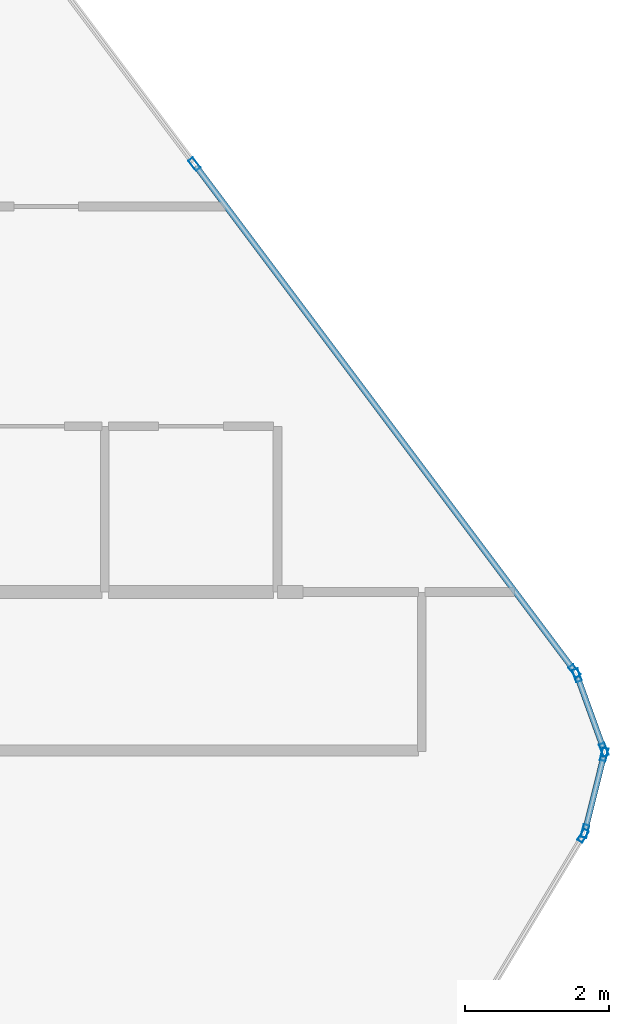
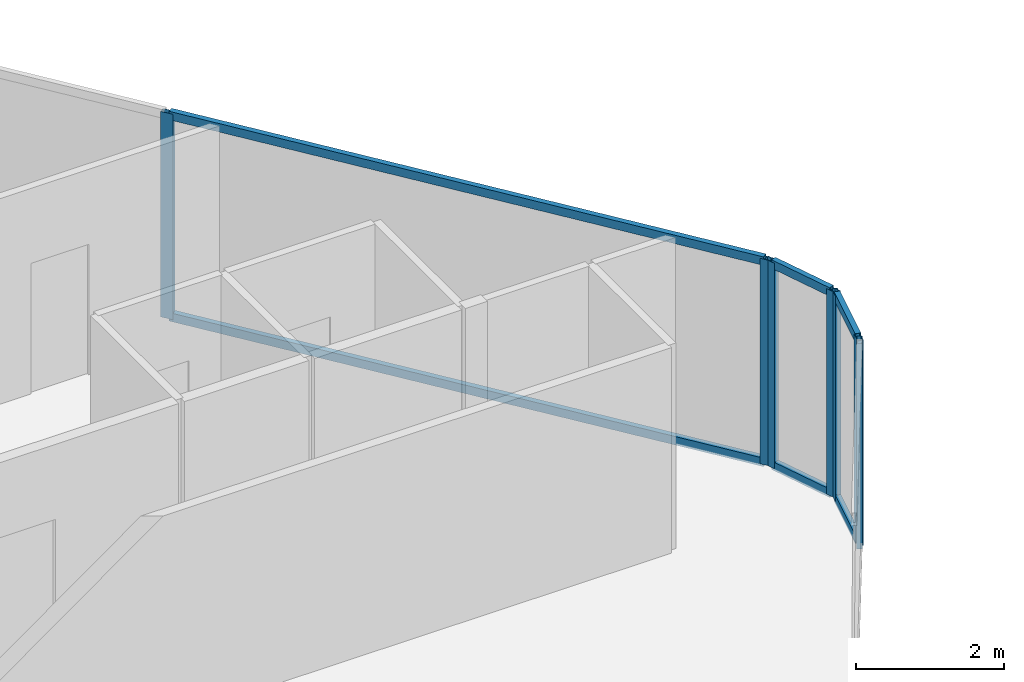
# One storey, part 18 of 29: 13 members, 4 elements without a shape of their own.
"""IFC4 building model written with IfcOpenShell, lengths in metres."""

from ifc_helpers import new_model, si_unit, direction, frame, origin, origin_2d, place, context, subcontext, project, spatial, hollow_rectangle, extrude, material, layer, layer_set, material_profile, profile_set, type_object, element, aggregate, save


model = new_model("IFC4")

# Units and contexts
model_context = context("Model", 3, precision=1e-05, world=origin(), true_north=direction((0.0, 1.0)))
body_context = subcontext(model_context, "Body", "Model", "MODEL_VIEW")
ifc_project = project(units=[si_unit("LENGTHUNIT", "METRE"), si_unit("AREAUNIT", "SQUARE_METRE"), si_unit("VOLUMEUNIT", "CUBIC_METRE"), si_unit("PLANEANGLEUNIT", "RADIAN"), si_unit("MASSUNIT", "GRAM", prefix="KILO")], contexts=[model_context])

# Site, building, storey
site_placement = place(None, origin())
site = spatial("IfcSite", under=ifc_project, at=site_placement, CompositionType="ELEMENT")
building_placement = place(site_placement, origin())
building = spatial("IfcBuilding", under=site, at=building_placement, Name="Keshet Zoharim Tower", CompositionType="ELEMENT")
storey_placement = place(building_placement, frame((0.0, 0.0, 105.699951171875)))
storey = spatial("IfcBuildingStorey", under=building, at=storey_placement, Name="L25", CompositionType="ELEMENT", Elevation=105.699951171875)

# Curtain wall, members
ifc_material = material(Name="Aluminium 6063-T6", Category="aluminium")
ifc_layer = layer(ifc_material, 0.159912109375)
ifc_layer_set = layer_set([ifc_layer], Name="Aluminium 6063-T6")
curtain_wall_type = type_object("IfcCurtainWallType", Name="CW-SYS-03", PredefinedType="NOTDEFINED", material=ifc_layer_set)
curtain_wall_1_placement = place(storey_placement, origin())
curtain_wall_1 = element("IfcCurtainWall", 1, at=curtain_wall_1_placement, inside=storey, type_object=curtain_wall_type, Name="L25 Unitised Curtain Wall 15", PredefinedType="NOTDEFINED")
ifc_material_profile_1 = material_profile(ifc_material, hollow_rectangle(XDim=0.080078125, YDim=0.179931640625, WallThickness=0.00439453125, at=origin_2d()), Name="MUL-80x180")
ifc_profile_set_1 = profile_set([ifc_material_profile_1], Name="Aluminium 6063-T6")
member_type_1 = type_object("IfcMemberType", Name="CWM-M18", PredefinedType="MULLION", material=ifc_profile_set_1)
member_1_placement = place(storey_placement, frame((56.896484375, 46.0380859375, 0.0), z_axis=(0.0, 0.0, 1.0), x_axis=(0.799999999998, 0.600000000002, 0.0)))
member_1 = element("IfcMember", 2, at=member_1_placement, type_object=member_type_1, Name="CW-03 mullion 2", PredefinedType="MULLION", context=body_context, shape_type="SweptSolid", body=[
    extrude(hollow_rectangle(XDim=0.080078125, YDim=0.179931640625, WallThickness=0.00439453125, at=origin_2d()), origin(), (0.0, 0.0, 1.0), 3.385009765625),
])
member_2_placement = place(storey_placement, frame((62.172119140625, 39.00390625, 0.0), z_axis=(0.0, 0.0, 1.0), x_axis=(0.799999999998, 0.600000000002, 0.0)))
member_2 = element("IfcMember", 3, at=member_2_placement, type_object=member_type_1, Name="CW-03 mullion 3", PredefinedType="MULLION", context=body_context, shape_type="SweptSolid", body=[
    extrude(hollow_rectangle(XDim=0.080078125, YDim=0.179931640625, WallThickness=0.00439453125, at=origin_2d()), origin(), (0.0, 0.0, 1.0), 3.385009765625),
])

curtain_wall_2_placement = place(storey_placement, origin())
curtain_wall_2 = element("IfcCurtainWall", 4, at=curtain_wall_2_placement, inside=storey, type_object=curtain_wall_type, Name="L25 Unitised Curtain Wall 16", PredefinedType="NOTDEFINED")
member_3_placement = place(storey_placement, frame((62.204833984375, 38.943115234375, 0.0), z_axis=(0.0, 0.0, 1.0), x_axis=(0.940317877544, 0.340297354046, 0.0)))
member_3 = element("IfcMember", 5, at=member_3_placement, type_object=member_type_1, Name="CW-03 mullion 1", PredefinedType="MULLION", context=body_context, shape_type="SweptSolid", body=[
    extrude(hollow_rectangle(XDim=0.080078125, YDim=0.179931640625, WallThickness=0.00439453125, at=origin_2d()), origin(), (0.0, 0.0, 1.0), 3.385009765625),
])
member_4_placement = place(storey_placement, frame((62.578125, 37.911865234375, 0.0), z_axis=(0.0, 0.0, 1.0), x_axis=(0.940317877544, 0.340297354046, 0.0)))
member_4 = element("IfcMember", 6, at=member_4_placement, type_object=member_type_1, Name="CW-03 mullion 2", PredefinedType="MULLION", context=body_context, shape_type="SweptSolid", body=[
    extrude(hollow_rectangle(XDim=0.080078125, YDim=0.179931640625, WallThickness=0.00439453125, at=origin_2d()), origin(), (0.0, 0.0, 1.0), 3.385009765625),
])

curtain_wall_3_placement = place(storey_placement, origin())
curtain_wall_3 = element("IfcCurtainWall", 7, at=curtain_wall_3_placement, inside=storey, type_object=curtain_wall_type, Name="L25 Unitised Curtain Wall 17", PredefinedType="NOTDEFINED")
member_5_placement = place(storey_placement, frame((62.58154296875, 37.844970703125, 0.0), z_axis=(0.0, 0.0, 1.0), x_axis=(0.970343857447, -0.241728770141, 0.0)))
member_5 = element("IfcMember", 8, at=member_5_placement, type_object=member_type_1, Name="CW-03 mullion 1", PredefinedType="MULLION", context=body_context, shape_type="SweptSolid", body=[
    extrude(hollow_rectangle(XDim=0.080078125, YDim=0.179931640625, WallThickness=0.00439453125, at=origin_2d()), origin(), (0.0, 0.0, 1.0), 3.385009765625),
])
member_6_placement = place(storey_placement, frame((62.31640625, 36.781005859375, 0.0), z_axis=(0.0, 0.0, 1.0), x_axis=(0.970343857447, -0.241728770141, 0.0)))
member_6 = element("IfcMember", 9, at=member_6_placement, type_object=member_type_1, Name="CW-03 mullion 2", PredefinedType="MULLION", context=body_context, shape_type="SweptSolid", body=[
    extrude(hollow_rectangle(XDim=0.080078125, YDim=0.179931640625, WallThickness=0.00439453125, at=origin_2d()), origin(), (0.0, 0.0, 1.0), 3.385009765625),
])

# Curtain wall, member
curtain_wall_4_placement = place(storey_placement, origin())
curtain_wall_4 = element("IfcCurtainWall", 10, at=curtain_wall_4_placement, inside=storey, type_object=curtain_wall_type, Name="L25 Unitised Curtain Wall 18", PredefinedType="NOTDEFINED")
member_7_placement = place(storey_placement, frame((62.2900390625, 36.717041015625, 0.0), z_axis=(0.0, 0.0, 1.0), x_axis=(0.857501477862, -0.514481501576, 0.0)))
member_7 = element("IfcMember", 11, at=member_7_placement, type_object=member_type_1, Name="CW-03 mullion 1", PredefinedType="MULLION", context=body_context, shape_type="SweptSolid", body=[
    extrude(hollow_rectangle(XDim=0.080078125, YDim=0.179931640625, WallThickness=0.00439453125, at=origin_2d()), origin(), (0.0, 0.0, 1.0), 3.385009765625),
])
aggregate(curtain_wall_4, [member_7])

# Member
ifc_material_profile_2 = material_profile(ifc_material, hollow_rectangle(XDim=0.080078125, YDim=0.139892578125, WallThickness=0.00390625, at=origin_2d()), Name="TRN-80x140")
ifc_profile_set_2 = profile_set([ifc_material_profile_2], Name="Aluminium 6063-T6")
member_type_2 = type_object("IfcMemberType", Name="CWT-T14", PredefinedType="USERDEFINED", material=ifc_profile_set_2)
member_8_placement = place(storey_placement, frame((56.91748046875, 46.010009765625, 0.03515625), z_axis=(0.599991043201, -0.800006717521, 0.0), x_axis=(0.800006717521, 0.599991043201, 0.0)))
member_8 = element("IfcMember", 12, at=member_8_placement, type_object=member_type_2, Name="CW-03 transom 2.1", ObjectType="TRANSOM", PredefinedType="USERDEFINED", context=body_context, shape_type="SweptSolid", body=[
    extrude(hollow_rectangle(XDim=0.080078125, YDim=0.139892578125, WallThickness=0.00390625, at=origin_2d()), origin(), (0.0, 0.0, 1.0), 8.722412109375),
])

member_9_placement = place(storey_placement, frame((56.91748046875, 46.010009765625, 3.35009765625), z_axis=(0.599991043201, -0.800006717521, 0.0), x_axis=(0.800006717521, 0.599991043201, 0.0)))
member_9 = element("IfcMember", 13, at=member_9_placement, type_object=member_type_2, Name="CW-03 transom 2.2", ObjectType="TRANSOM", PredefinedType="USERDEFINED", context=body_context, shape_type="SweptSolid", body=[
    extrude(hollow_rectangle(XDim=0.080078125, YDim=0.139892578125, WallThickness=0.00390625, at=origin_2d()), origin(), (0.0, 0.0, 1.0), 8.722412109375),
])

aggregate(curtain_wall_1, [member_1, member_2, member_8, member_9])

member_10_placement = place(storey_placement, frame((62.216796875, 38.91015625, 0.03515625), z_axis=(0.340310579984, -0.940313091024, 0.0), x_axis=(0.940313091024, 0.340310579984, 0.0)))
member_10 = element("IfcMember", 14, at=member_10_placement, type_object=member_type_2, Name="CW-03 transom 1.1", ObjectType="TRANSOM", PredefinedType="USERDEFINED", context=body_context, shape_type="SweptSolid", body=[
    extrude(hollow_rectangle(XDim=0.080078125, YDim=0.139892578125, WallThickness=0.00390625, at=origin_2d()), origin(), (0.0, 0.0, 1.0), 1.026611328125),
])

member_11_placement = place(storey_placement, frame((62.216796875, 38.91015625, 3.35009765625), z_axis=(0.340310579984, -0.940313091024, 0.0), x_axis=(0.940313091024, 0.340310579984, 0.0)))
member_11 = element("IfcMember", 15, at=member_11_placement, type_object=member_type_2, Name="CW-03 transom 1.2", ObjectType="TRANSOM", PredefinedType="USERDEFINED", context=body_context, shape_type="SweptSolid", body=[
    extrude(hollow_rectangle(XDim=0.080078125, YDim=0.139892578125, WallThickness=0.00390625, at=origin_2d()), origin(), (0.0, 0.0, 1.0), 1.026611328125),
])

aggregate(curtain_wall_2, [member_3, member_4, member_10, member_11])

member_12_placement = place(storey_placement, frame((62.572998046875, 37.81103515625, 0.03515625), z_axis=(-0.241640143717, -0.970365931463, 0.0), x_axis=(0.970365931463, -0.241640143717, 0.0)))
member_12 = element("IfcMember", 16, at=member_12_placement, type_object=member_type_2, Name="CW-03 transom 1.1", ObjectType="TRANSOM", PredefinedType="USERDEFINED", context=body_context, shape_type="SweptSolid", body=[
    extrude(hollow_rectangle(XDim=0.080078125, YDim=0.139892578125, WallThickness=0.00390625, at=origin_2d()), origin(), (0.0, 0.0, 1.0), 1.026611328125),
])

member_13_placement = place(storey_placement, frame((62.572998046875, 37.81103515625, 3.35009765625), z_axis=(-0.241640143717, -0.970365931463, 0.0), x_axis=(0.970365931463, -0.241640143717, 0.0)))
member_13 = element("IfcMember", 17, at=member_13_placement, type_object=member_type_2, Name="CW-03 transom 1.2", ObjectType="TRANSOM", PredefinedType="USERDEFINED", context=body_context, shape_type="SweptSolid", body=[
    extrude(hollow_rectangle(XDim=0.080078125, YDim=0.139892578125, WallThickness=0.00390625, at=origin_2d()), origin(), (0.0, 0.0, 1.0), 1.026611328125),
])

aggregate(curtain_wall_3, [member_5, member_6, member_12, member_13])

save(model, "model.ifc")
